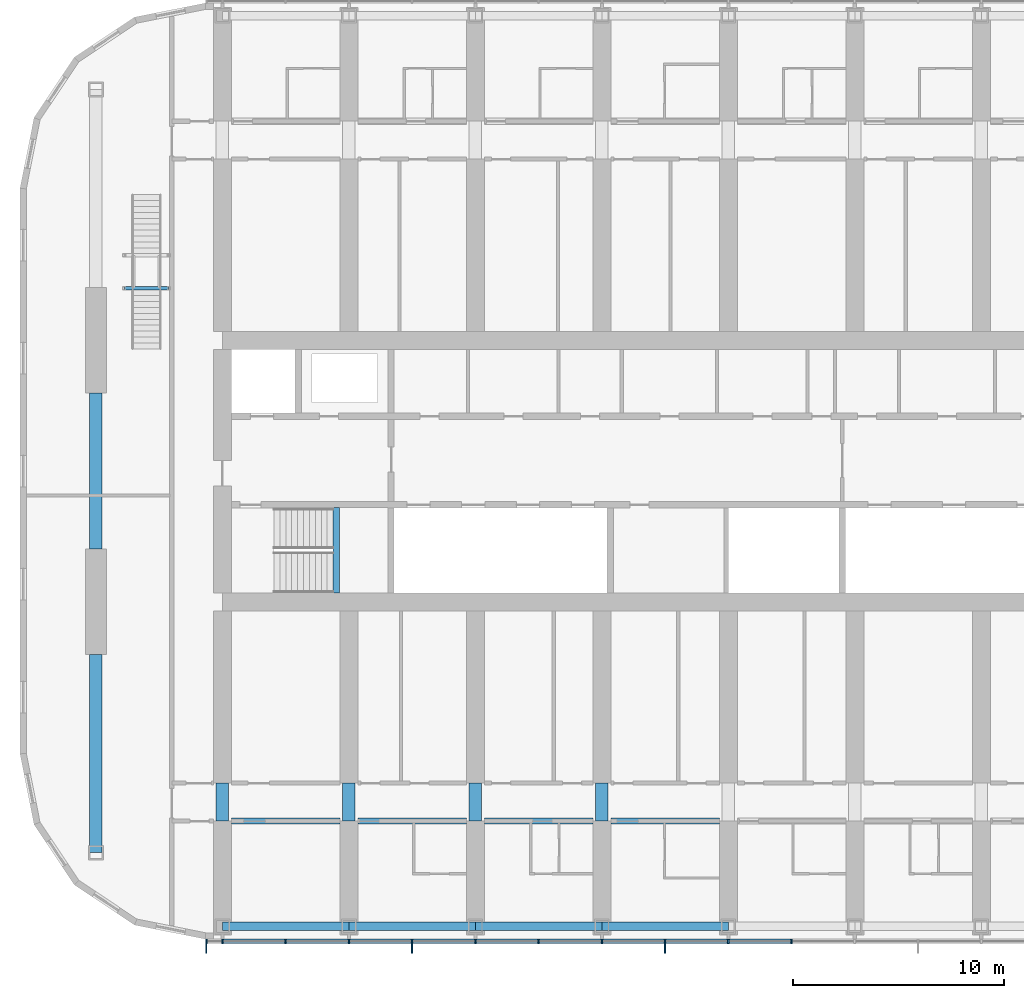
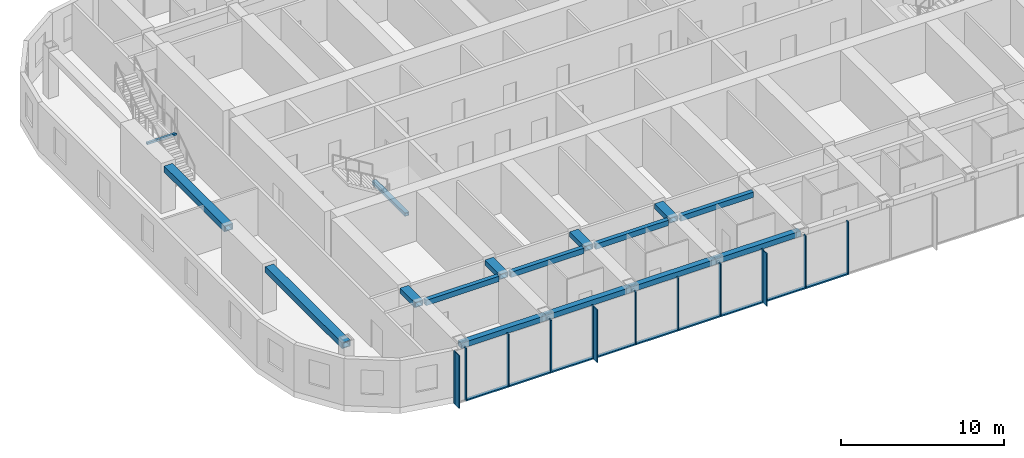
# One storey, part 6 of 29: 23 members, 16 beams, 1 element without a shape of its own.
"""IFC4 building model written with IfcOpenShell, lengths in metres."""

from ifc_helpers import new_model, si_unit, direction, frame, origin, origin_2d, place, context, subcontext, project, spatial, rectangle, hollow_rectangle, extrude, material, material_profile, profile_set, type_object, element, aggregate, save


model = new_model("IFC4")

# Units and contexts
model_context = context("Model", 3, precision=1e-05, world=origin(), true_north=direction((0.0, 1.0)))
body_context = subcontext(model_context, "Body", "Model", "MODEL_VIEW")
ifc_project = project(units=[si_unit("LENGTHUNIT", "METRE"), si_unit("AREAUNIT", "SQUARE_METRE"), si_unit("VOLUMEUNIT", "CUBIC_METRE"), si_unit("PLANEANGLEUNIT", "RADIAN"), si_unit("MASSUNIT", "GRAM", prefix="KILO")], contexts=[model_context])

# Site, building, storey
site_placement = place(None, origin())
site = spatial("IfcSite", under=ifc_project, at=site_placement, CompositionType="ELEMENT")
building_placement = place(site_placement, origin())
building = spatial("IfcBuilding", under=site, at=building_placement, Name="Orbita Commons", CompositionType="ELEMENT")
storey_placement = place(building_placement, frame((0.0, 0.0, 148.60009765625)))
storey = spatial("IfcBuildingStorey", under=building, at=storey_placement, Name="L36", CompositionType="ELEMENT", Elevation=148.60009765625)

# Curtain wall, members
ifc_material_1 = material(Name="Anodised aluminium frame, pale silver", Category="aluminium")
curtain_wall_type = type_object("IfcCurtainWallType", Name="Unitised curtain wall CW-U, full-height vision", PredefinedType="NOTDEFINED", material=ifc_material_1)
curtain_wall_placement = place(storey_placement, origin())
curtain_wall = element("IfcCurtainWall", 1, at=curtain_wall_placement, inside=storey, type_object=curtain_wall_type, Name="Curtain wall south L36", PredefinedType="NOTDEFINED")
ifc_material_2 = material(Name="Anodised aluminium, pale silver", Category="aluminium")
ifc_material_profile_1 = material_profile(ifc_material_2, rectangle(XDim=0.080078125, YDim=0.219970703125, at=origin_2d()), Name="AL 80x220")
ifc_profile_set_1 = profile_set([ifc_material_profile_1], Name="Anodised aluminium, pale silver")
member_type_1 = type_object("IfcMemberType", Name="Curtain wall mullion 80x220", PredefinedType="MULLION", material=ifc_profile_set_1)
member_1_placement = place(storey_placement, frame((17.239990234375, 9.68994140625, -0.4501953125), z_axis=(0.0, 0.0, 1.0), x_axis=(1.0, 0.0, 0.0)))
member_1 = element("IfcMember", 2, at=member_1_placement, type_object=member_type_1, Name="Mullion 1 CW-L36-S", PredefinedType="MULLION", context=body_context, shape_type="SweptSolid", body=[
    extrude(rectangle(XDim=0.080078125, YDim=0.219970703125, at=origin_2d()), origin(), (0.0, 0.0, 1.0), 3.9501953125),
])
member_2_placement = place(storey_placement, frame((18.0, 9.68994140625, -0.4501953125), z_axis=(0.0, 0.0, 1.0), x_axis=(1.0, 0.0, 0.0)))
member_2 = element("IfcMember", 3, at=member_2_placement, type_object=member_type_1, Name="Mullion 2 CW-L36-S", PredefinedType="MULLION", context=body_context, shape_type="SweptSolid", body=[
    extrude(rectangle(XDim=0.080078125, YDim=0.219970703125, at=origin_2d()), origin(), (0.0, 0.0, 1.0), 3.9501953125),
])
member_3_placement = place(storey_placement, frame((21.0, 9.68994140625, -0.4501953125), z_axis=(0.0, 0.0, 1.0), x_axis=(1.0, 0.0, 0.0)))
member_3 = element("IfcMember", 4, at=member_3_placement, type_object=member_type_1, Name="Mullion 3 CW-L36-S", PredefinedType="MULLION", context=body_context, shape_type="SweptSolid", body=[
    extrude(rectangle(XDim=0.080078125, YDim=0.219970703125, at=origin_2d()), origin(), (0.0, 0.0, 1.0), 3.9501953125),
])
member_4_placement = place(storey_placement, frame((24.0, 9.68994140625, -0.4501953125), z_axis=(0.0, 0.0, 1.0), x_axis=(1.0, 0.0, 0.0)))
member_4 = element("IfcMember", 5, at=member_4_placement, type_object=member_type_1, Name="Mullion 4 CW-L36-S", PredefinedType="MULLION", context=body_context, shape_type="SweptSolid", body=[
    extrude(rectangle(XDim=0.080078125, YDim=0.219970703125, at=origin_2d()), origin(), (0.0, 0.0, 1.0), 3.9501953125),
])
member_5_placement = place(storey_placement, frame((27.0, 9.68994140625, -0.4501953125), z_axis=(0.0, 0.0, 1.0), x_axis=(1.0, 0.0, 0.0)))
member_5 = element("IfcMember", 6, at=member_5_placement, type_object=member_type_1, Name="Mullion 5 CW-L36-S", PredefinedType="MULLION", context=body_context, shape_type="SweptSolid", body=[
    extrude(rectangle(XDim=0.080078125, YDim=0.219970703125, at=origin_2d()), origin(), (0.0, 0.0, 1.0), 3.9501953125),
])
member_6_placement = place(storey_placement, frame((30.0, 9.68994140625, -0.4501953125), z_axis=(0.0, 0.0, 1.0), x_axis=(1.0, 0.0, 0.0)))
member_6 = element("IfcMember", 7, at=member_6_placement, type_object=member_type_1, Name="Mullion 6 CW-L36-S", PredefinedType="MULLION", context=body_context, shape_type="SweptSolid", body=[
    extrude(rectangle(XDim=0.080078125, YDim=0.219970703125, at=origin_2d()), origin(), (0.0, 0.0, 1.0), 3.9501953125),
])
member_7_placement = place(storey_placement, frame((33.0, 9.68994140625, -0.4501953125), z_axis=(0.0, 0.0, 1.0), x_axis=(1.0, 0.0, 0.0)))
member_7 = element("IfcMember", 8, at=member_7_placement, type_object=member_type_1, Name="Mullion 7 CW-L36-S", PredefinedType="MULLION", context=body_context, shape_type="SweptSolid", body=[
    extrude(rectangle(XDim=0.080078125, YDim=0.219970703125, at=origin_2d()), origin(), (0.0, 0.0, 1.0), 3.9501953125),
])
member_8_placement = place(storey_placement, frame((36.0, 9.68994140625, -0.4501953125), z_axis=(0.0, 0.0, 1.0), x_axis=(1.0, 0.0, 0.0)))
member_8 = element("IfcMember", 9, at=member_8_placement, type_object=member_type_1, Name="Mullion 8 CW-L36-S", PredefinedType="MULLION", context=body_context, shape_type="SweptSolid", body=[
    extrude(rectangle(XDim=0.080078125, YDim=0.219970703125, at=origin_2d()), origin(), (0.0, 0.0, 1.0), 3.9501953125),
])
member_9_placement = place(storey_placement, frame((39.0, 9.68994140625, -0.4501953125), z_axis=(0.0, 0.0, 1.0), x_axis=(1.0, 0.0, 0.0)))
member_9 = element("IfcMember", 10, at=member_9_placement, type_object=member_type_1, Name="Mullion 9 CW-L36-S", PredefinedType="MULLION", context=body_context, shape_type="SweptSolid", body=[
    extrude(rectangle(XDim=0.080078125, YDim=0.219970703125, at=origin_2d()), origin(), (0.0, 0.0, 1.0), 3.9501953125),
])
member_10_placement = place(storey_placement, frame((42.0, 9.68994140625, -0.4501953125), z_axis=(0.0, 0.0, 1.0), x_axis=(1.0, 0.0, 0.0)))
member_10 = element("IfcMember", 11, at=member_10_placement, type_object=member_type_1, Name="Mullion 10 CW-L36-S", PredefinedType="MULLION", context=body_context, shape_type="SweptSolid", body=[
    extrude(rectangle(XDim=0.080078125, YDim=0.219970703125, at=origin_2d()), origin(), (0.0, 0.0, 1.0), 3.9501953125),
])
member_11_placement = place(storey_placement, frame((45.0, 9.68994140625, -0.4501953125), z_axis=(0.0, 0.0, 1.0), x_axis=(1.0, 0.0, 0.0)))
member_11 = element("IfcMember", 12, at=member_11_placement, type_object=member_type_1, Name="Mullion 11 CW-L36-S", PredefinedType="MULLION", context=body_context, shape_type="SweptSolid", body=[
    extrude(rectangle(XDim=0.080078125, YDim=0.219970703125, at=origin_2d()), origin(), (0.0, 0.0, 1.0), 3.9501953125),
])
ifc_material_3 = material(Name="Anodised aluminium, pale silver", Category="aluminium")
ifc_material_profile_2 = material_profile(ifc_material_3, rectangle(XDim=0.219970703125, YDim=0.10009765625, at=origin_2d()), Name="AL 220x100")
ifc_profile_set_2 = profile_set([ifc_material_profile_2], Name="Anodised aluminium, pale silver")
member_type_2 = type_object("IfcMemberType", Name="Curtain wall stack transom 220x100", PredefinedType="USERDEFINED", material=ifc_profile_set_2)
member_12_placement = place(storey_placement, frame((18.0400390625, 9.68994140625, -0.400146484375), z_axis=(1.0, 0.0, 0.0), x_axis=(0.0, 1.0, 0.0)))
member_12 = element("IfcMember", 13, at=member_12_placement, type_object=member_type_2, Name="Transom 2.1 CW-L36-S", ObjectType="TRANSOM", PredefinedType="USERDEFINED", context=body_context, shape_type="SweptSolid", body=[
    extrude(rectangle(XDim=0.219970703125, YDim=0.10009765625, at=origin_2d()), origin(), (0.0, 0.0, 1.0), 2.919921875),
])
member_13_placement = place(storey_placement, frame((21.0400390625, 9.68994140625, -0.400146484375), z_axis=(1.0, 0.0, 0.0), x_axis=(0.0, 1.0, 0.0)))
member_13 = element("IfcMember", 14, at=member_13_placement, type_object=member_type_2, Name="Transom 3.1 CW-L36-S", ObjectType="TRANSOM", PredefinedType="USERDEFINED", context=body_context, shape_type="SweptSolid", body=[
    extrude(rectangle(XDim=0.219970703125, YDim=0.10009765625, at=origin_2d()), origin(), (0.0, 0.0, 1.0), 2.919921875),
])
member_14_placement = place(storey_placement, frame((24.0400390625, 9.68994140625, -0.400146484375), z_axis=(1.0, 0.0, 0.0), x_axis=(0.0, 1.0, 0.0)))
member_14 = element("IfcMember", 15, at=member_14_placement, type_object=member_type_2, Name="Transom 4.1 CW-L36-S", ObjectType="TRANSOM", PredefinedType="USERDEFINED", context=body_context, shape_type="SweptSolid", body=[
    extrude(rectangle(XDim=0.219970703125, YDim=0.10009765625, at=origin_2d()), origin(), (0.0, 0.0, 1.0), 2.919921875),
])
member_15_placement = place(storey_placement, frame((27.0400390625, 9.68994140625, -0.400146484375), z_axis=(1.0, 0.0, 0.0), x_axis=(0.0, 1.0, 0.0)))
member_15 = element("IfcMember", 16, at=member_15_placement, type_object=member_type_2, Name="Transom 5.1 CW-L36-S", ObjectType="TRANSOM", PredefinedType="USERDEFINED", context=body_context, shape_type="SweptSolid", body=[
    extrude(rectangle(XDim=0.219970703125, YDim=0.10009765625, at=origin_2d()), origin(), (0.0, 0.0, 1.0), 2.919921875),
])
member_16_placement = place(storey_placement, frame((30.0400390625, 9.68994140625, -0.400146484375), z_axis=(1.0, 0.0, 0.0), x_axis=(0.0, 1.0, 0.0)))
member_16 = element("IfcMember", 17, at=member_16_placement, type_object=member_type_2, Name="Transom 6.1 CW-L36-S", ObjectType="TRANSOM", PredefinedType="USERDEFINED", context=body_context, shape_type="SweptSolid", body=[
    extrude(rectangle(XDim=0.219970703125, YDim=0.10009765625, at=origin_2d()), origin(), (0.0, 0.0, 1.0), 2.919921875),
])
member_17_placement = place(storey_placement, frame((33.0400390625, 9.68994140625, -0.400146484375), z_axis=(1.0, 0.0, 0.0), x_axis=(0.0, 1.0, 0.0)))
member_17 = element("IfcMember", 18, at=member_17_placement, type_object=member_type_2, Name="Transom 7.1 CW-L36-S", ObjectType="TRANSOM", PredefinedType="USERDEFINED", context=body_context, shape_type="SweptSolid", body=[
    extrude(rectangle(XDim=0.219970703125, YDim=0.10009765625, at=origin_2d()), origin(), (0.0, 0.0, 1.0), 2.919921875),
])
member_18_placement = place(storey_placement, frame((36.0400390625, 9.68994140625, -0.400146484375), z_axis=(1.0, 0.0, 0.0), x_axis=(0.0, 1.0, 0.0)))
member_18 = element("IfcMember", 19, at=member_18_placement, type_object=member_type_2, Name="Transom 8.1 CW-L36-S", ObjectType="TRANSOM", PredefinedType="USERDEFINED", context=body_context, shape_type="SweptSolid", body=[
    extrude(rectangle(XDim=0.219970703125, YDim=0.10009765625, at=origin_2d()), origin(), (0.0, 0.0, 1.0), 2.919921875),
])
member_19_placement = place(storey_placement, frame((39.0400390625, 9.68994140625, -0.400146484375), z_axis=(1.0, 0.0, 0.0), x_axis=(0.0, 1.0, 0.0)))
member_19 = element("IfcMember", 20, at=member_19_placement, type_object=member_type_2, Name="Transom 9.1 CW-L36-S", ObjectType="TRANSOM", PredefinedType="USERDEFINED", context=body_context, shape_type="SweptSolid", body=[
    extrude(rectangle(XDim=0.219970703125, YDim=0.10009765625, at=origin_2d()), origin(), (0.0, 0.0, 1.0), 2.919921875),
])
member_20_placement = place(storey_placement, frame((42.0400390625, 9.68994140625, -0.400146484375), z_axis=(1.0, 0.0, 0.0), x_axis=(0.0, 1.0, 0.0)))
member_20 = element("IfcMember", 21, at=member_20_placement, type_object=member_type_2, Name="Transom 10.1 CW-L36-S", ObjectType="TRANSOM", PredefinedType="USERDEFINED", context=body_context, shape_type="SweptSolid", body=[
    extrude(rectangle(XDim=0.219970703125, YDim=0.10009765625, at=origin_2d()), origin(), (0.0, 0.0, 1.0), 2.919921875),
])

# Beams
ifc_material_4 = material(Name="Steel ASTM A992", Category="steel")
ifc_material_profile_3 = material_profile(ifc_material_4, hollow_rectangle(XDim=0.14990234375, YDim=0.14990234375, WallThickness=0.008056640625, at=origin_2d()), Name="SHS 150x150x8")
ifc_profile_set_3 = profile_set([ifc_material_profile_3], Name="Steel ASTM A992")
beam_type_1 = type_object("IfcBeamType", Name="Landing frame beam SHS 150x150x8", PredefinedType="BEAM", material=ifc_profile_set_3)
beam_1_placement = place(storey_placement, frame((13.35009765625, 40.675048828125, 1.599853515625), z_axis=(1.0, 0.0, 0.0), x_axis=(0.0, 1.0, 0.0)))
element("IfcBeam", 22, at=beam_1_placement, inside=storey, type_object=beam_type_1, Name="Neighbourhood stair L36 to L37 landing frame beam 1", PredefinedType="BEAM", context=body_context, shape_type="SweptSolid", body=[
    extrude(hollow_rectangle(XDim=0.14990234375, YDim=0.14990234375, WallThickness=0.008056640625, at=origin_2d()), origin(), (0.0, 0.0, 1.0), 2.099853515625),
])
ifc_material_5 = material(Name="Steel ASTM A572 Gr 50 welded plate", Category="steel")
ifc_material_profile_4 = material_profile(ifc_material_5, hollow_rectangle(XDim=0.300048828125, YDim=0.25, WallThickness=0.02490234375, at=origin_2d()), Name="BOX 250x300x25")
ifc_profile_set_4 = profile_set([ifc_material_profile_4], Name="Steel ASTM A572 Gr 50 welded plate")
beam_type_2 = type_object("IfcBeamType", Name="Stair landing beam steel BOX 250x300x25", PredefinedType="BEAM", material=ifc_profile_set_4)
beam_2_placement = place(storey_placement, frame((23.39990234375, 26.2099609375, 1.5498046875), z_axis=(0.0, 1.0, 0.0), x_axis=(-1.0, 0.0, 0.0)))
element("IfcBeam", 23, at=beam_2_placement, inside=storey, type_object=beam_type_2, Name="Stair S1 landing beam L36 1", PredefinedType="BEAM", context=body_context, shape_type="SweptSolid", body=[
    extrude(hollow_rectangle(XDim=0.300048828125, YDim=0.25, WallThickness=0.02490234375, at=origin_2d()), origin(), (0.0, 0.0, 1.0), 4.054931640625),
])
ifc_material_6 = material(Name="Steel ASTM A572 Gr 50 welded plate", Category="steel")
ifc_material_profile_5 = material_profile(ifc_material_6, hollow_rectangle(XDim=0.300048828125, YDim=0.39990234375, WallThickness=0.0400390625, at=origin_2d()), Name="BOX 400x300x40")
ifc_profile_set_5 = profile_set([ifc_material_profile_5], Name="Steel ASTM A572 Gr 50 welded plate")
beam_type_3 = type_object("IfcBeamType", Name="Steel corridor link BOX 400x300x40", PredefinedType="BEAM", material=ifc_profile_set_5)
for number, where, z_axis, x_axis, name in (
    (24, (18.425048828125, 15.39990234375, 3.2998046875), (1.0, 0.0, 0.0), (0.0, 1.0, 0.0), "Corridor beam SA 4-5 L36"),
    (25, (24.425048828125, 15.39990234375, 3.2998046875), (1.0, 0.0, 0.0), (0.0, 1.0, 0.0), "Corridor beam SA 5-6 L36"),
    (26, (30.425048828125, 15.39990234375, 3.2998046875), (1.0, 0.0, 0.0), (0.0, 1.0, 0.0), "Corridor beam SA 6-7 L36"),
    (27, (36.425048828125, 15.39990234375, 3.2998046875), (1.0, 0.0, 0.0), (0.0, 1.0, 0.0), "Corridor beam SA 7-8 L36"),
):
    element("IfcBeam", number, at=place(storey_placement, frame(where, z_axis=z_axis, x_axis=x_axis)), inside=storey, type_object=beam_type_3, Name=name, PredefinedType="BEAM", context=body_context, shape_type="SweptSolid", body=[
        extrude(hollow_rectangle(XDim=0.300048828125, YDim=0.39990234375, WallThickness=0.0400390625, at=origin_2d()), origin(), (0.0, 0.0, 1.0), 5.14990234375),
    ])
ifc_material_7 = material(Name="Steel ASTM A572 Gr 50 welded plate", Category="steel")
ifc_material_profile_6 = material_profile(ifc_material_7, hollow_rectangle(XDim=0.60009765625, YDim=0.39990234375, WallThickness=0.050048828125, at=origin_2d()), Name="BOX 400x600x50")
ifc_profile_set_6 = profile_set([ifc_material_profile_6], Name="Steel ASTM A572 Gr 50 welded plate")
beam_type_4 = type_object("IfcBeamType", Name="Steel coupling link BOX 400x600x50", PredefinedType="LINTEL", material=ifc_profile_set_6)
for number, where, z_axis, x_axis, name in (
    (28, (18.0, 15.39990234375, 3.2998046875), (0.0, 1.0, 0.0), (-1.0, 0.0, 0.0), "Coupling beam 4 south L36"),
    (29, (24.0, 15.39990234375, 3.2998046875), (0.0, 1.0, 0.0), (-1.0, 0.0, 0.0), "Coupling beam 5 south L36"),
    (30, (30.0, 15.39990234375, 3.2998046875), (0.0, 1.0, 0.0), (-1.0, 0.0, 0.0), "Coupling beam 6 south L36"),
    (31, (36.0, 15.39990234375, 3.2998046875), (0.0, 1.0, 0.0), (-1.0, 0.0, 0.0), "Coupling beam 7 south L36"),
):
    element("IfcBeam", number, at=place(storey_placement, frame(where, z_axis=z_axis, x_axis=x_axis)), inside=storey, type_object=beam_type_4, Name=name, PredefinedType="LINTEL", context=body_context, shape_type="SweptSolid", body=[
        extrude(hollow_rectangle(XDim=0.60009765625, YDim=0.39990234375, WallThickness=0.050048828125, at=origin_2d()), origin(), (0.0, 0.0, 1.0), 1.800048828125),
    ])
ifc_material_8 = material(Name="Steel ASTM A572 Gr 50 welded plate", Category="steel")
ifc_material_profile_7 = material_profile(ifc_material_8, hollow_rectangle(XDim=0.60009765625, YDim=0.449951171875, WallThickness=0.06005859375, at=origin_2d()), Name="BOX 450x600x60")
ifc_profile_set_7 = profile_set([ifc_material_profile_7], Name="Steel ASTM A572 Gr 50 welded plate")
beam_type_5 = type_object("IfcBeamType", Name="Steel end frame link BOX 450x600x60", PredefinedType="BEAM", material=ifc_profile_set_7)
beam_3_placement = place(storey_placement, frame((12.0, 13.89990234375, 3.27490234375), z_axis=(0.0, 1.0, 0.0), x_axis=(-1.0, 0.0, 0.0)))
element("IfcBeam", 32, at=beam_3_placement, inside=storey, type_object=beam_type_5, Name="End frame beam 3 B-C L36", PredefinedType="BEAM", context=body_context, shape_type="SweptSolid", body=[
    extrude(hollow_rectangle(XDim=0.60009765625, YDim=0.449951171875, WallThickness=0.06005859375, at=origin_2d()), origin(), (0.0, 0.0, 1.0), 9.400146484375),
])
beam_4_placement = place(storey_placement, frame((12.0, 28.300048828125, 3.27490234375), z_axis=(0.0, 1.0, 0.0), x_axis=(-1.0, 0.0, 0.0)))
element("IfcBeam", 33, at=beam_4_placement, inside=storey, type_object=beam_type_5, Name="End frame beam 3 C-D L36", PredefinedType="BEAM", context=body_context, shape_type="SweptSolid", body=[
    extrude(hollow_rectangle(XDim=0.60009765625, YDim=0.449951171875, WallThickness=0.06005859375, at=origin_2d()), origin(), (0.0, 0.0, 1.0), 7.39990234375),
])
ifc_material_9 = material(Name="Steel ASTM A572 Gr 50 welded plate", Category="steel")
ifc_material_profile_8 = material_profile(ifc_material_9, hollow_rectangle(XDim=0.39990234375, YDim=0.39990234375, WallThickness=0.0400390625, at=origin_2d()), Name="BOX 400x400x40")
ifc_profile_set_8 = profile_set([ifc_material_profile_8], Name="Steel ASTM A572 Gr 50 welded plate")
beam_type_6 = type_object("IfcBeamType", Name="Steel spandrel BOX 400x400x40", PredefinedType="SPANDREL", material=ifc_profile_set_8)
for number, where, z_axis, x_axis, name in (
    (34, (18.0, 10.39990234375, 3.2998046875), (1.0, 0.0, 0.0), (0.0, 1.0, 0.0), "Spandrel beam B 4-5 L36"),
    (35, (24.0, 10.39990234375, 3.2998046875), (1.0, 0.0, 0.0), (0.0, 1.0, 0.0), "Spandrel beam B 5-6 L36"),
    (36, (30.0, 10.39990234375, 3.2998046875), (1.0, 0.0, 0.0), (0.0, 1.0, 0.0), "Spandrel beam B 6-7 L36"),
    (37, (36.0, 10.39990234375, 3.2998046875), (1.0, 0.0, 0.0), (0.0, 1.0, 0.0), "Spandrel beam B 7-8 L36"),
):
    element("IfcBeam", number, at=place(storey_placement, frame(where, z_axis=z_axis, x_axis=x_axis)), inside=storey, type_object=beam_type_6, Name=name, PredefinedType="SPANDREL", context=body_context, shape_type="SweptSolid", body=[
        extrude(hollow_rectangle(XDim=0.39990234375, YDim=0.39990234375, WallThickness=0.0400390625, at=origin_2d()), origin(), (0.0, 0.0, 1.0), 6.0),
    ])

# Member
ifc_material_10 = material(Name="Anodised aluminium, pale silver", Category="aluminium")
ifc_material_profile_9 = material_profile(ifc_material_10, rectangle(XDim=0.06005859375, YDim=0.449951171875, at=origin_2d()), Name="FIN 60x450")
ifc_profile_set_9 = profile_set([ifc_material_profile_9], Name="Anodised aluminium, pale silver")
member_type_3 = type_object("IfcMemberType", Name="Vertical fin 60x450 pale aluminium", PredefinedType="USERDEFINED", material=ifc_profile_set_9)
member_21_placement = place(storey_placement, frame((17.239990234375, 9.35498046875, -0.4501953125), z_axis=(0.0, 0.0, 1.0), x_axis=(1.0, 0.0, 0.0)))
member_21 = element("IfcMember", 38, at=member_21_placement, type_object=member_type_3, Name="Fin 1 CW-L36-S", ObjectType="FIN", PredefinedType="USERDEFINED", context=body_context, shape_type="SweptSolid", body=[
    extrude(rectangle(XDim=0.06005859375, YDim=0.449951171875, at=origin_2d()), origin(), (0.0, 0.0, 1.0), 3.9501953125),
])

member_22_placement = place(storey_placement, frame((27.0, 9.35498046875, -0.4501953125), z_axis=(0.0, 0.0, 1.0), x_axis=(1.0, 0.0, 0.0)))
member_22 = element("IfcMember", 39, at=member_22_placement, type_object=member_type_3, Name="Fin 5 CW-L36-S", ObjectType="FIN", PredefinedType="USERDEFINED", context=body_context, shape_type="SweptSolid", body=[
    extrude(rectangle(XDim=0.06005859375, YDim=0.449951171875, at=origin_2d()), origin(), (0.0, 0.0, 1.0), 3.9501953125),
])

member_23_placement = place(storey_placement, frame((39.0, 9.35498046875, -0.4501953125), z_axis=(0.0, 0.0, 1.0), x_axis=(1.0, 0.0, 0.0)))
member_23 = element("IfcMember", 40, at=member_23_placement, type_object=member_type_3, Name="Fin 9 CW-L36-S", ObjectType="FIN", PredefinedType="USERDEFINED", context=body_context, shape_type="SweptSolid", body=[
    extrude(rectangle(XDim=0.06005859375, YDim=0.449951171875, at=origin_2d()), origin(), (0.0, 0.0, 1.0), 3.9501953125),
])

aggregate(curtain_wall, [member_1, member_21, member_2, member_3, member_4, member_5, member_22, member_6, member_7, member_8, member_9, member_23, member_10, member_11, member_12, member_13, member_14, member_15, member_16, member_17, member_18, member_19, member_20])

save(model, "model.ifc")
